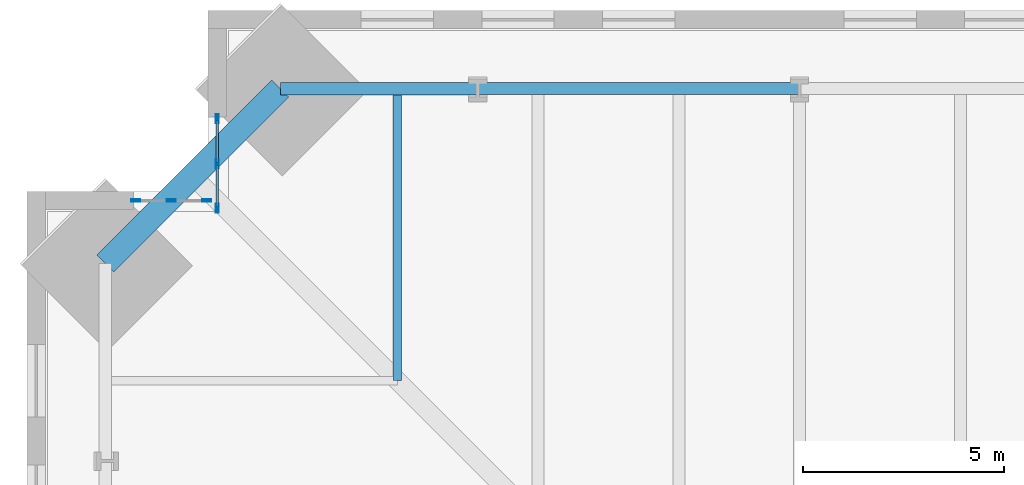
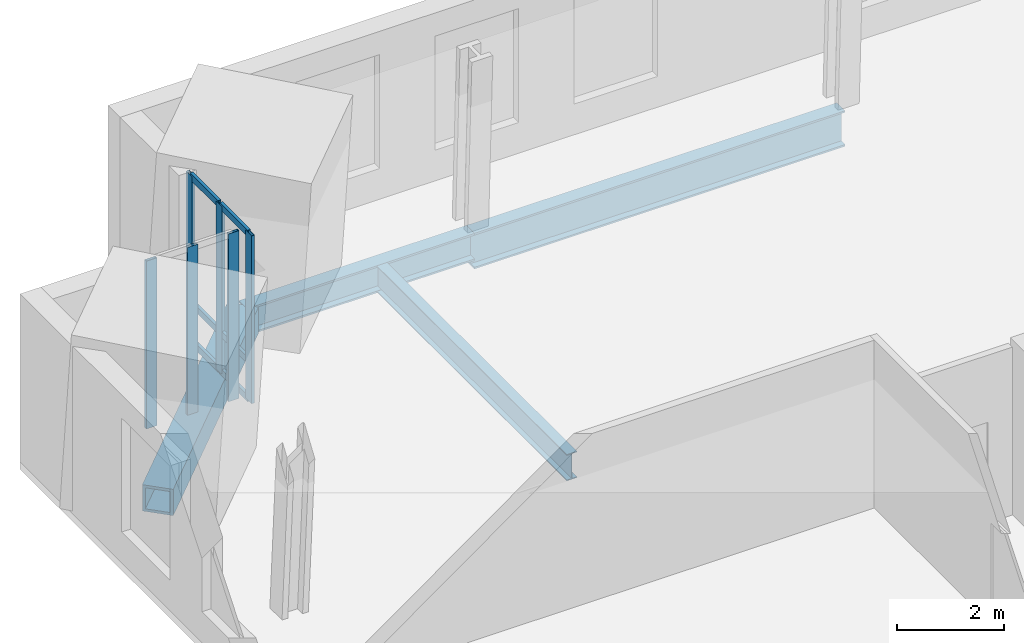
# One storey, part 6 of 16: 12 members, 4 beams, 2 elements without a shape of their own.
"""IFC4 building model written with IfcOpenShell, lengths in metres."""

from ifc_helpers import new_model, si_unit, direction, frame, origin, origin_2d, place, context, subcontext, project, spatial, hollow_rectangle, i_section, extrude, material, material_profile, profile_set, type_object, element, aggregate, save


model = new_model("IFC4")

# Units and contexts
model_context = context("Model", 3, precision=1e-05, world=origin(), true_north=direction((0.0, 1.0)))
body_context = subcontext(model_context, "Body", "Model", "MODEL_VIEW")
ifc_project = project(units=[si_unit("LENGTHUNIT", "METRE"), si_unit("AREAUNIT", "SQUARE_METRE"), si_unit("VOLUMEUNIT", "CUBIC_METRE"), si_unit("PLANEANGLEUNIT", "RADIAN"), si_unit("MASSUNIT", "GRAM", prefix="KILO")], contexts=[model_context])

# Site, building, storey
site_placement = place(None, origin())
site = spatial("IfcSite", under=ifc_project, at=site_placement, CompositionType="ELEMENT")
building_placement = place(site_placement, origin())
building = spatial("IfcBuilding", under=site, at=building_placement, Name="Peilmerk Tower", CompositionType="ELEMENT")
storey_placement = place(building_placement, frame((0.0, 0.0, 139.800048828125)))
storey = spatial("IfcBuildingStorey", under=building, at=storey_placement, Name="L28", CompositionType="ELEMENT", Elevation=139.800048828125)

# Beams
ifc_material_1 = material(Name="Steel S355", Category="steel")
ifc_material_profile_1 = material_profile(ifc_material_1, i_section(OverallWidth=0.219970703125, OverallDepth=0.60009765625, WebThickness=0.011962890625, FlangeThickness=0.01904296875, at=origin_2d()), Name="IPE 600")
ifc_profile_set_1 = profile_set([ifc_material_profile_1], Name="Steel S355")
beam_type_1 = type_object("IfcBeamType", Name="B10 IPE 600 floor beam", PredefinedType="BEAM", material=ifc_profile_set_1)
beam_1_placement = place(storey_placement, frame((-18.0, 18.0, -0.469970703125), z_axis=(0.0, 1.0, 0.0), x_axis=(-1.0, 0.0, 0.0)))
element("IfcBeam", 1, at=beam_1_placement, inside=storey, type_object=beam_type_1, Name="Floor beam L28", PredefinedType="BEAM", context=body_context, shape_type="SweptSolid", body=[
    extrude(i_section(OverallWidth=0.219970703125, OverallDepth=0.60009765625, WebThickness=0.011962890625, FlangeThickness=0.01904296875, at=origin_2d()), origin(), (0.0, 0.0, 1.0), 7.259765625),
])
ifc_material_profile_2 = material_profile(ifc_material_1, i_section(OverallWidth=0.302978515625, OverallDepth=0.81396484375, WebThickness=0.02099609375, FlangeThickness=0.0400390625, at=origin_2d()), Name="HEM 800")
ifc_profile_set_2 = profile_set([ifc_material_profile_2], Name="Steel S355")
beam_type_2 = type_object("IfcBeamType", Name="B15 HEM 800 edge beam", PredefinedType="SPANDREL", material=ifc_profile_set_2)
beam_2_placement = place(storey_placement, frame((-8.0, 25.259765625, -0.5771484375), z_axis=(-1.0, 0.0, 0.0), x_axis=(0.0, -1.0, 0.0)))
element("IfcBeam", 2, at=beam_2_placement, inside=storey, type_object=beam_type_2, Name="Edge beam L28", PredefinedType="SPANDREL", context=body_context, shape_type="SweptSolid", body=[
    extrude(i_section(OverallWidth=0.302978515625, OverallDepth=0.81396484375, WebThickness=0.02099609375, FlangeThickness=0.0400390625, at=origin_2d()), origin(), (0.0, 0.0, 1.0), 8.0),
])
ifc_material_2 = material(Name="Steel S460", Category="steel")
ifc_material_profile_3 = material_profile(ifc_material_2, hollow_rectangle(XDim=0.60009765625, YDim=0.60009765625, WallThickness=0.06005859375, at=origin_2d()), Name="BOX 600x600x60")
ifc_profile_set_3 = profile_set([ifc_material_profile_3], Name="Steel S460")
beam_type_3 = type_object("IfcBeamType", Name="B20 BOX 600x600x60 notch beam", PredefinedType="SPANDREL", material=ifc_profile_set_3)
beam_3_placement = place(storey_placement, frame((-25.259765625, 20.90966796875, -0.469970703125), z_axis=(0.707106781187, 0.707106781187, 0.0), x_axis=(-0.707106781187, 0.707106781187, 0.0)))
element("IfcBeam", 3, at=beam_3_placement, inside=storey, type_object=beam_type_3, Name="Notch beam L28", PredefinedType="SPANDREL", context=body_context, shape_type="SweptSolid", body=[
    extrude(hollow_rectangle(XDim=0.60009765625, YDim=0.60009765625, WallThickness=0.06005859375, at=origin_2d()), origin(), (0.0, 0.0, 1.0), 6.15185546875),
])
ifc_material_profile_4 = material_profile(ifc_material_1, i_section(OverallWidth=0.304931640625, OverallDepth=0.6201171875, WebThickness=0.02099609375, FlangeThickness=0.0400390625, at=origin_2d()), Name="HEM 600")
ifc_profile_set_4 = profile_set([ifc_material_profile_4], Name="Steel S355")
beam_type_4 = type_object("IfcBeamType", Name="B31 HEM 600 edge beam", PredefinedType="SPANDREL", material=ifc_profile_set_4)
beam_4_placement = place(storey_placement, frame((-16.0, 25.259765625, -0.47998046875), z_axis=(-1.0, 0.0, 0.0), x_axis=(0.0, -1.0, 0.0)))
element("IfcBeam", 4, at=beam_4_placement, inside=storey, type_object=beam_type_4, Name="Edge beam L28", PredefinedType="SPANDREL", context=body_context, shape_type="SweptSolid", body=[
    extrude(i_section(OverallWidth=0.304931640625, OverallDepth=0.6201171875, WebThickness=0.02099609375, FlangeThickness=0.0400390625, at=origin_2d()), origin(), (0.0, 0.0, 1.0), 4.90966796875),
])

# Curtain wall, members
ifc_material_3 = material(Name="Aluminium stick curtain wall", Category="aluminium")
curtain_wall_type = type_object("IfcCurtainWallType", Name="CW3 stick curtain wall, 2250 module", PredefinedType="NOTDEFINED", material=ifc_material_3)
curtain_wall_1_placement = place(storey_placement, origin())
curtain_wall_1 = element("IfcCurtainWall", 5, at=curtain_wall_1_placement, inside=storey, type_object=curtain_wall_type, Name="Curtain wall CW3 NWA L28", PredefinedType="NOTDEFINED")
ifc_material_4 = material(Name="Aluminium EN AW-6063 T6", Category="aluminium")
ifc_material_profile_5 = material_profile(ifc_material_4, hollow_rectangle(XDim=0.06494140625, YDim=0.22509765625, WallThickness=0.00390625, at=origin_2d()), Name="AL 225x65x4")
ifc_profile_set_5 = profile_set([ifc_material_profile_5], Name="Aluminium EN AW-6063 T6")
member_type_1 = type_object("IfcMemberType", Name="CW3-M AL 225x65x4 mullion", PredefinedType="MULLION", material=ifc_profile_set_5)
member_1_placement = place(storey_placement, frame((-22.47509765625, 22.282470703125, 0.0), z_axis=(0.0, 0.0, 1.0), x_axis=(-1.0, 0.0, 0.0)))
member_1 = element("IfcMember", 6, at=member_1_placement, type_object=member_type_1, Name="CW3 mullion 1", PredefinedType="MULLION", context=body_context, shape_type="SweptSolid", body=[
    extrude(hollow_rectangle(XDim=0.06494140625, YDim=0.22509765625, WallThickness=0.00390625, at=origin_2d()), origin(), (0.0, 0.0, 1.0), 3.829833984375),
])
member_2_placement = place(storey_placement, frame((-22.47509765625, 23.394287109375, 0.0), z_axis=(0.0, 0.0, 1.0), x_axis=(-1.0, 0.0, 0.0)))
member_2 = element("IfcMember", 7, at=member_2_placement, type_object=member_type_1, Name="CW3 mullion 2", PredefinedType="MULLION", context=body_context, shape_type="SweptSolid", body=[
    extrude(hollow_rectangle(XDim=0.06494140625, YDim=0.22509765625, WallThickness=0.00390625, at=origin_2d()), origin(), (0.0, 0.0, 1.0), 3.829833984375),
])
member_3_placement = place(storey_placement, frame((-22.47509765625, 24.506103515625, 0.0), z_axis=(0.0, 0.0, 1.0), x_axis=(-1.0, 0.0, 0.0)))
member_3 = element("IfcMember", 8, at=member_3_placement, type_object=member_type_1, Name="CW3 mullion 3", PredefinedType="MULLION", context=body_context, shape_type="SweptSolid", body=[
    extrude(hollow_rectangle(XDim=0.06494140625, YDim=0.22509765625, WallThickness=0.00390625, at=origin_2d()), origin(), (0.0, 0.0, 1.0), 3.829833984375),
])

curtain_wall_2_placement = place(storey_placement, origin())
curtain_wall_2 = element("IfcCurtainWall", 9, at=curtain_wall_2_placement, inside=storey, type_object=curtain_wall_type, Name="Curtain wall CW3 NWB L28", PredefinedType="NOTDEFINED")
member_4_placement = place(storey_placement, frame((-22.732421875, 22.47509765625, 0.0), z_axis=(0.0, 0.0, 1.0), x_axis=(0.0, -1.0, 0.0)))
member_4 = element("IfcMember", 10, at=member_4_placement, type_object=member_type_1, Name="CW3 mullion 1", PredefinedType="MULLION", context=body_context, shape_type="SweptSolid", body=[
    extrude(hollow_rectangle(XDim=0.06494140625, YDim=0.22509765625, WallThickness=0.00390625, at=origin_2d()), origin(), (0.0, 0.0, 1.0), 3.829833984375),
])
member_5_placement = place(storey_placement, frame((-23.619384765625, 22.47509765625, 0.0), z_axis=(0.0, 0.0, 1.0), x_axis=(0.0, -1.0, 0.0)))
member_5 = element("IfcMember", 11, at=member_5_placement, type_object=member_type_1, Name="CW3 mullion 2", PredefinedType="MULLION", context=body_context, shape_type="SweptSolid", body=[
    extrude(hollow_rectangle(XDim=0.06494140625, YDim=0.22509765625, WallThickness=0.00390625, at=origin_2d()), origin(), (0.0, 0.0, 1.0), 3.829833984375),
])
member_6_placement = place(storey_placement, frame((-24.506103515625, 22.47509765625, 0.0), z_axis=(0.0, 0.0, 1.0), x_axis=(0.0, -1.0, 0.0)))
member_6 = element("IfcMember", 12, at=member_6_placement, type_object=member_type_1, Name="CW3 mullion 3", PredefinedType="MULLION", context=body_context, shape_type="SweptSolid", body=[
    extrude(hollow_rectangle(XDim=0.06494140625, YDim=0.22509765625, WallThickness=0.00390625, at=origin_2d()), origin(), (0.0, 0.0, 1.0), 3.829833984375),
])
aggregate(curtain_wall_2, [member_4, member_5, member_6])

# Member
ifc_material_profile_6 = material_profile(ifc_material_4, hollow_rectangle(XDim=0.06494140625, YDim=0.14990234375, WallThickness=0.0029296875, at=origin_2d()), Name="AL 150x65x3")
ifc_profile_set_6 = profile_set([ifc_material_profile_6], Name="Aluminium EN AW-6063 T6")
member_type_2 = type_object("IfcMemberType", Name="CW3-T AL 150x65x3 transom", PredefinedType="USERDEFINED", material=ifc_profile_set_6)
member_7_placement = place(storey_placement, frame((-22.47509765625, 22.31494140625, 0.032470703125), z_axis=(0.0, 1.0, 0.0), x_axis=(-1.0, 0.0, 0.0)))
member_7 = element("IfcMember", 13, at=member_7_placement, type_object=member_type_2, Name="CW3 transom 1.1", ObjectType="TRANSOM", PredefinedType="USERDEFINED", context=body_context, shape_type="SweptSolid", body=[
    extrude(hollow_rectangle(XDim=0.06494140625, YDim=0.14990234375, WallThickness=0.0029296875, at=origin_2d()), origin(), (0.0, 0.0, 1.0), 1.046875),
])

member_8_placement = place(storey_placement, frame((-22.47509765625, 22.31494140625, 0.89990234375), z_axis=(0.0, 1.0, 0.0), x_axis=(-1.0, 0.0, 0.0)))
member_8 = element("IfcMember", 14, at=member_8_placement, type_object=member_type_2, Name="CW3 transom 1.2", ObjectType="TRANSOM", PredefinedType="USERDEFINED", context=body_context, shape_type="SweptSolid", body=[
    extrude(hollow_rectangle(XDim=0.06494140625, YDim=0.14990234375, WallThickness=0.0029296875, at=origin_2d()), origin(), (0.0, 0.0, 1.0), 1.046875),
])

member_9_placement = place(storey_placement, frame((-22.47509765625, 22.31494140625, 3.79736328125), z_axis=(0.0, 1.0, 0.0), x_axis=(-1.0, 0.0, 0.0)))
member_9 = element("IfcMember", 15, at=member_9_placement, type_object=member_type_2, Name="CW3 transom 1.3", ObjectType="TRANSOM", PredefinedType="USERDEFINED", context=body_context, shape_type="SweptSolid", body=[
    extrude(hollow_rectangle(XDim=0.06494140625, YDim=0.14990234375, WallThickness=0.0029296875, at=origin_2d()), origin(), (0.0, 0.0, 1.0), 1.046875),
])

member_10_placement = place(storey_placement, frame((-22.47509765625, 23.4267578125, 0.032470703125), z_axis=(0.0, 1.0, 0.0), x_axis=(-1.0, 0.0, 0.0)))
member_10 = element("IfcMember", 16, at=member_10_placement, type_object=member_type_2, Name="CW3 transom 2.1", ObjectType="TRANSOM", PredefinedType="USERDEFINED", context=body_context, shape_type="SweptSolid", body=[
    extrude(hollow_rectangle(XDim=0.06494140625, YDim=0.14990234375, WallThickness=0.0029296875, at=origin_2d()), origin(), (0.0, 0.0, 1.0), 1.046875),
])

member_11_placement = place(storey_placement, frame((-22.47509765625, 23.4267578125, 0.89990234375), z_axis=(0.0, 1.0, 0.0), x_axis=(-1.0, 0.0, 0.0)))
member_11 = element("IfcMember", 17, at=member_11_placement, type_object=member_type_2, Name="CW3 transom 2.2", ObjectType="TRANSOM", PredefinedType="USERDEFINED", context=body_context, shape_type="SweptSolid", body=[
    extrude(hollow_rectangle(XDim=0.06494140625, YDim=0.14990234375, WallThickness=0.0029296875, at=origin_2d()), origin(), (0.0, 0.0, 1.0), 1.046875),
])

member_12_placement = place(storey_placement, frame((-22.47509765625, 23.4267578125, 3.79736328125), z_axis=(0.0, 1.0, 0.0), x_axis=(-1.0, 0.0, 0.0)))
member_12 = element("IfcMember", 18, at=member_12_placement, type_object=member_type_2, Name="CW3 transom 2.3", ObjectType="TRANSOM", PredefinedType="USERDEFINED", context=body_context, shape_type="SweptSolid", body=[
    extrude(hollow_rectangle(XDim=0.06494140625, YDim=0.14990234375, WallThickness=0.0029296875, at=origin_2d()), origin(), (0.0, 0.0, 1.0), 1.046875),
])

aggregate(curtain_wall_1, [member_1, member_2, member_3, member_7, member_8, member_9, member_10, member_11, member_12])

save(model, "model.ifc")
